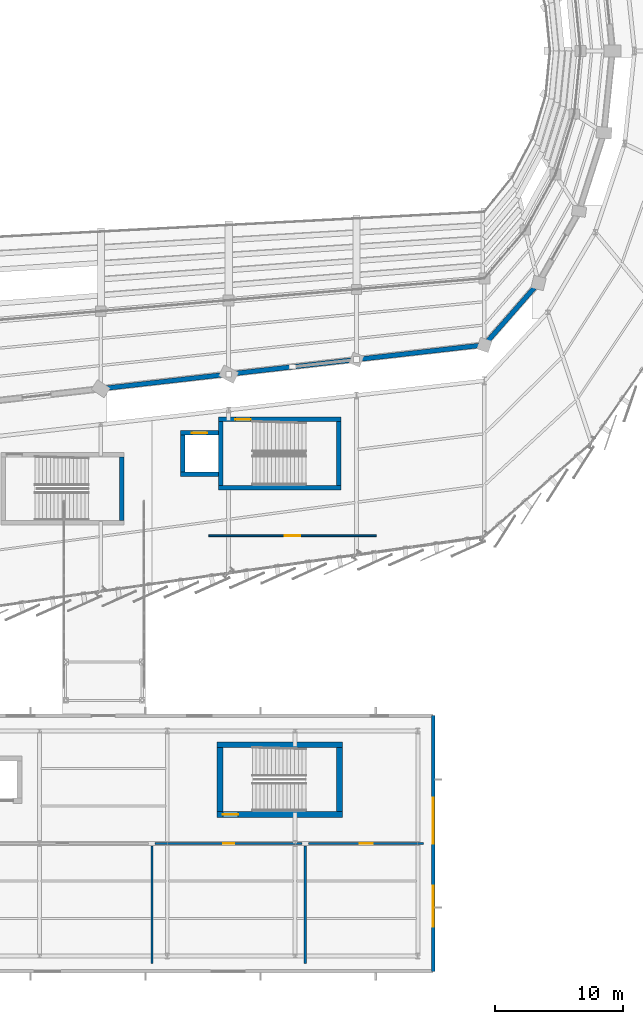
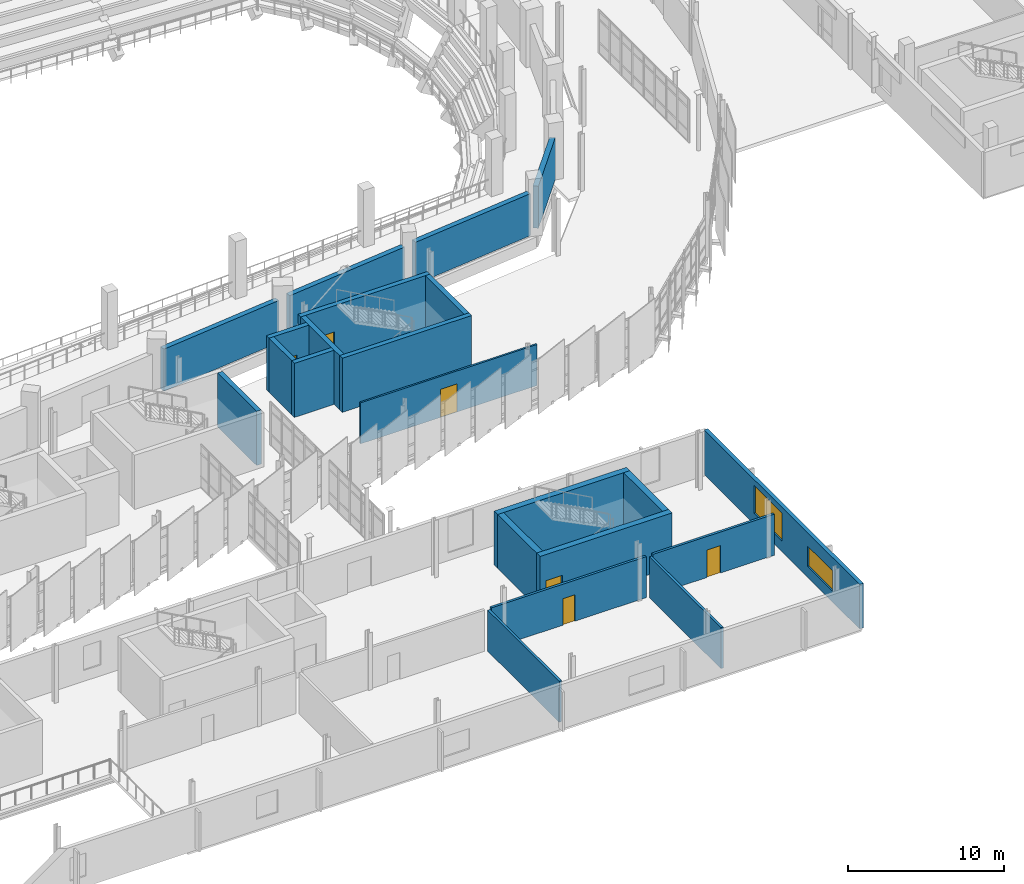
# One storey, part 113 of 134: 22 walls, 6 doors, 2 windows, 8 openings.
"""IFC4 building model written with IfcOpenShell, lengths in metres."""

import ifcopenshell
import ifcopenshell.guid

model = None  # the IFC model being written
_history = None  # IfcOwnerHistory: only IFC2X3 demands one
_inside = {}  # id of a spatial element -> (the spatial element, [elements in it])
_under = {}  # id of a project, library or spatial element -> (it, [spatial elements below it])
_declared = {}  # id of a project -> (the project, [libraries it declares])
_typed = {}  # id of a type object -> (the type object, [elements of that type])
_made_of = {}  # id of a material, layer set ... -> (it, [elements and type objects made of it])


def new_model(schema):
    """Start an empty IFC model of exactly this schema.

    Asked for "IFC4X3", IfcOpenShell would pick the latest addendum, in which some entities
    have other attributes; the version numbers below select the first issue.
    IFC2X3 requires an IfcOwnerHistory on every rooted entity: one is made here for all.
    """
    global model, _history
    if schema == "IFC4X3":
        model = ifcopenshell.file(schema_version=(4, 3, 0, 0))
    else:
        model = ifcopenshell.file(schema=schema)
    _inside.clear()
    _under.clear()
    _declared.clear()
    _typed.clear()
    _made_of.clear()
    _history = None
    if model.schema == "IFC2X3":
        org = make("IfcOrganization", Name="unknown")
        user = make(
            "IfcPersonAndOrganization",
            ThePerson=make("IfcPerson", FamilyName="unknown"),
            TheOrganization=org,
        )
        app = make(
            "IfcApplication",
            ApplicationDeveloper=org,
            Version="unknown",
            ApplicationFullName="unknown",
            ApplicationIdentifier="unknown",
        )
        _history = make(
            "IfcOwnerHistory",
            OwningUser=user,
            OwningApplication=app,
            ChangeAction="ADDED",
            CreationDate=0,
        )
    return model


def make(cls, **values):
    """One entity of the class cls with the attributes given. An attribute that is None is left unset."""
    return model.create_entity(
        cls, **{name: value for name, value in values.items() if value is not None}
    )


def rooted(cls, **values):
    """An entity with a GlobalId (a new one), such as an element, a storey or a relation."""
    return make(cls, GlobalId=ifcopenshell.guid.new(), OwnerHistory=_history, **values)


def si_unit(unit_type, name, prefix=None):
    """IfcSIUnit, for example si_unit("LENGTHUNIT", "METRE", prefix="MILLI")."""
    return make("IfcSIUnit", UnitType=unit_type, Prefix=prefix, Name=name)


def assignment(units):
    """IfcUnitAssignment: the units of a project."""
    return None if units is None else make("IfcUnitAssignment", Units=units)


def point(xyz):
    """IfcCartesianPoint."""
    return None if xyz is None else make("IfcCartesianPoint", Coordinates=xyz)


def direction(xyz):
    """IfcDirection."""
    return None if xyz is None else make("IfcDirection", DirectionRatios=xyz)


def frame(location, z_axis=None, x_axis=None):
    """IfcAxis2Placement3D, a coordinate frame: its origin and axes. An axis left out is left unset."""
    return make(
        "IfcAxis2Placement3D",
        Location=point(location),
        Axis=direction(z_axis),
        RefDirection=direction(x_axis),
    )


def frame_2d(location, x_axis=None):
    """IfcAxis2Placement2D, a coordinate frame in the plane: its origin and x axis."""
    return make(
        "IfcAxis2Placement2D", Location=point(location), RefDirection=direction(x_axis)
    )


def origin():
    """The frame at (0, 0, 0) with its axes left unset."""
    return frame((0.0, 0.0, 0.0))


def place(relative_to, where):
    """IfcLocalPlacement: puts the frame where relative to a parent placement (None: the world)."""
    return make(
        "IfcLocalPlacement", PlacementRelTo=relative_to, RelativePlacement=where
    )


def context(
    kind, dimensions, precision=None, world=None, true_north=None, identifier=None
):
    """IfcGeometricRepresentationContext, for example the 3D "Model" context."""
    return make(
        "IfcGeometricRepresentationContext",
        ContextIdentifier=identifier,
        ContextType=kind,
        CoordinateSpaceDimension=dimensions,
        Precision=precision,
        WorldCoordinateSystem=world,
        TrueNorth=true_north,
    )


def subcontext(parent, identifier, kind, view, scale=None):
    """IfcGeometricRepresentationSubContext, for example "Body" below "Model"."""
    return make(
        "IfcGeometricRepresentationSubContext",
        ContextIdentifier=identifier,
        ContextType=kind,
        ParentContext=parent,
        TargetScale=scale,
        TargetView=view,
    )


def project(units=None, contexts=None):
    """IfcProject with its units and contexts."""
    return rooted(
        "IfcProject",
        Name="project",
        RepresentationContexts=contexts,
        UnitsInContext=assignment(units),
    )


def spatial(cls, under=None, at=None, **own):
    """A site, building, storey or space (cls), placed at a placement, below another one or the project."""
    s = rooted(cls, ObjectPlacement=at, **own)
    if under is not None:
        _under.setdefault(under.id(), (under, []))[1].append(s)
    return s


def profile(cls, at=None, kind="AREA", **sizes):
    """A parametric profile (cls). Its sizes go by their IFC names, for example OverallWidth=200.0."""
    return make(cls, ProfileType=kind, Position=at, **sizes)


def rectangle(**sizes):
    """IfcRectangleProfileDef."""
    return profile("IfcRectangleProfileDef", **sizes)


def extrude(swept, where, along, depth):
    """IfcExtrudedAreaSolid: the profile swept, set in the frame where, extruded along a direction by depth."""
    return make(
        "IfcExtrudedAreaSolid",
        SweptArea=swept,
        Position=where,
        ExtrudedDirection=direction(along),
        Depth=depth,
    )


def shape(context_of_items, identifier, shape_type, items):
    """IfcShapeRepresentation: the items that make up one representation, for example the "Body"."""
    return make(
        "IfcShapeRepresentation",
        ContextOfItems=context_of_items,
        RepresentationIdentifier=identifier,
        RepresentationType=shape_type,
        Items=items,
    )


def material(Name=None, Category=None):
    """IfcMaterial."""
    return make("IfcMaterial", Name=Name, Category=Category)


def layer(
    of_material, thickness, ventilated=None, Name=None, Category=None, Priority=None
):
    """IfcMaterialLayer: one layer of a wall or slab, of a material (None: an air gap)."""
    return make(
        "IfcMaterialLayer",
        Material=of_material,
        LayerThickness=thickness,
        IsVentilated=ventilated,
        Name=Name,
        Category=Category,
        Priority=Priority,
    )


def layer_set(layers, Name=None):
    """IfcMaterialLayerSet."""
    return make("IfcMaterialLayerSet", MaterialLayers=layers, LayerSetName=Name)


def made_of(thing, what):
    """Note that an element or type object is made of a material, layer set ...; save() writes the relation."""
    if what is not None:
        _made_of.setdefault(what.id(), (what, []))[1].append(thing)
    return thing


def type_object(cls, material=None, **own):
    """A type object (cls), such as IfcWallType, which elements share."""
    return made_of(rooted(cls, **own), material)


def element(
    cls,
    number,
    at=None,
    inside=None,
    cuts=None,
    type_object=None,
    material=None,
    context=None,
    identifier="Body",
    shape_type=None,
    held_by="IfcProductDefinitionShape",
    body=None,
    shapes=None,
    **own,
):
    """One element of the class cls, such as IfcWall. Its Tag is "e" and its number.

    at: its placement. inside: the storey or other place that contains it. cuts: it is an
    opening in that element (IfcRelVoidsElement). A single representation is given by context,
    identifier, shape_type and body (its items); several are given by shapes. held_by: the class
    of the entity that holds the representations. save() writes the other relations.
    """
    e = rooted(cls, Tag="e%d" % number, ObjectPlacement=at, **own)
    if body is not None:
        shapes = [shape(context, identifier, shape_type, body)]
    if shapes is not None:
        e.Representation = make(held_by, Representations=shapes)
    if inside is not None:
        _inside.setdefault(inside.id(), (inside, []))[1].append(e)
    if cuts is not None:
        rooted(
            "IfcRelVoidsElement", RelatingBuildingElement=cuts, RelatedOpeningElement=e
        )
    if type_object is not None:
        _typed.setdefault(type_object.id(), (type_object, []))[1].append(e)
    return made_of(e, material)


def fill(opening, filler):
    """IfcRelFillsElement: the door or window that sits in an opening."""
    return rooted(
        "IfcRelFillsElement",
        RelatingOpeningElement=opening,
        RelatedBuildingElement=filler,
    )


def aggregate(whole, parts):
    """IfcRelAggregates: a whole, such as a stair, and the parts it consists of."""
    return rooted("IfcRelAggregates", RelatingObject=whole, RelatedObjects=parts)


def save(model, path):
    """Write the relations noted so far, then the file.

    IfcRelAggregates (storeys below a building ...), IfcRelContainedInSpatialStructure (elements
    in a storey), IfcRelDefinesByType, IfcRelAssociatesMaterial and IfcRelDeclares: one each for
    every whole, place, type object, material and project.
    """
    for whole, parts in _under.values():
        aggregate(whole, parts)
    for where, things in _inside.values():
        rooted(
            "IfcRelContainedInSpatialStructure",
            RelatedElements=things,
            RelatingStructure=where,
        )
    for kind, things in _typed.values():
        rooted("IfcRelDefinesByType", RelatedObjects=things, RelatingType=kind)
    for what, things in _made_of.values():
        rooted("IfcRelAssociatesMaterial", RelatedObjects=things, RelatingMaterial=what)
    for by, libraries in _declared.values():
        rooted("IfcRelDeclares", RelatingContext=by, RelatedDefinitions=libraries)
    model.write(path)


model = new_model("IFC4")

# Units and contexts
model_context = context("Model", 3, precision=1e-05, world=origin(), true_north=direction((0.0, 1.0)))
body_context = subcontext(model_context, "Body", "Model", "MODEL_VIEW")
ifc_project = project(units=[si_unit("LENGTHUNIT", "METRE"), si_unit("AREAUNIT", "SQUARE_METRE"), si_unit("VOLUMEUNIT", "CUBIC_METRE"), si_unit("PLANEANGLEUNIT", "RADIAN"), si_unit("MASSUNIT", "GRAM", prefix="KILO")], contexts=[model_context])

# Site, building, storey
site_placement = place(None, origin())
site = spatial("IfcSite", under=ifc_project, at=site_placement, CompositionType="ELEMENT")
building_placement = place(site_placement, origin())
building = spatial("IfcBuilding", under=site, at=building_placement, Name="Sohan Crest Arena", CompositionType="ELEMENT")
storey_placement = place(building_placement, frame((0.0, 0.0, 4.5)))
storey = spatial("IfcBuildingStorey", under=building, at=storey_placement, Name="L01", CompositionType="ELEMENT", Elevation=4.5)

# Wall, openings, windows
ifc_material_1 = material(Name="Clinker brick and ceramic mosaic envelope wall", Category="masonry")
ifc_layer_1 = layer(ifc_material_1, 0.280029296875, Name="Clinker brick and ceramic mosaic envelope wall")
ifc_layer_set_1 = layer_set([ifc_layer_1], Name="Clinker brick and ceramic mosaic envelope wall")
wall_type_1 = type_object("IfcWallType", Name="WAL-EW02", PredefinedType="SOLIDWALL", material=ifc_layer_set_1)
wall_1_placement = place(storey_placement, frame((164.0, 6.0, 0.0), z_axis=(0.0, 0.0, 1.0), x_axis=(0.0, 1.0, 0.0)))
wall_1 = element("IfcWall", 1, at=wall_1_placement, inside=storey, type_object=wall_type_1, Name="External wall EW-131", PredefinedType="SOLIDWALL", context=body_context, shape_type="SweptSolid", body=[
    extrude(rectangle(XDim=20.0, YDim=0.280029296875, at=frame_2d((10.0, 0.0))), origin(), (0.0, 0.0, 1.0), 3.5),
])
opening_1_placement = place(wall_1_placement, frame((3.5, 0.0, 0.85009765625)))
opening_1 = element("IfcOpeningElement", 2, at=opening_1_placement, cuts=wall_1, Name="Opening W-043", PredefinedType="OPENING", context=body_context, shape_type="SweptSolid", body=[
    extrude(rectangle(XDim=3.199951171875, YDim=1.60009765625, at=frame_2d((1.60009765625, 0.800048828125))), frame((0.0, 0.14990234375, 0.0), z_axis=(0.0, -1.0, 0.0), x_axis=(1.0, 0.0, 0.0)), (0.0, 0.0, 1.0), 0.300048828125),
])
opening_2_placement = place(wall_1_placement, frame((10.0, 0.0, 0.85009765625)))
opening_2 = element("IfcOpeningElement", 3, at=opening_2_placement, cuts=wall_1, Name="Opening W-044", PredefinedType="OPENING", context=body_context, shape_type="SweptSolid", body=[
    extrude(rectangle(XDim=3.60009765625, YDim=2.199951171875, at=frame_2d((1.800048828125, 1.10009765625))), frame((0.0, 0.14990234375, 0.0), z_axis=(0.0, -1.0, 0.0), x_axis=(1.0, 0.0, 0.0)), (0.0, 0.0, 1.0), 0.300048828125),
])
ifc_material_2 = material(Name="Low-E double-glazed insulated glass", Category="glass")
window_type_1 = type_object("IfcWindowType", Name="WIN-W11", PartitioningType="SINGLE_PANEL", PredefinedType="WINDOW", material=ifc_material_2)
window_1_placement = place(opening_1_placement, origin())
window_1 = element("IfcWindow", 4, at=window_1_placement, inside=storey, type_object=window_type_1, Name="Catalan arched wing window W-043", OverallHeight=1.60009765625, OverallWidth=3.199951171875, PartitioningType="SINGLE_PANEL", PredefinedType="WINDOW", context=body_context, shape_type="SweptSolid", body=[
    extrude(rectangle(XDim=3.199951171875, YDim=1.60009765625, at=frame_2d((1.60009765625, 0.800048828125))), frame((0.0, 0.030029296875, 0.0), z_axis=(0.0, -1.0, 0.0), x_axis=(1.0, 0.0, 0.0)), (0.0, 0.0, 1.0), 0.06005859375),
])
fill(opening_1, window_1)
window_type_2 = type_object("IfcWindowType", Name="WIN-W12", PartitioningType="SINGLE_PANEL", PredefinedType="WINDOW", material=ifc_material_2)
window_2_placement = place(opening_2_placement, origin())
window_2 = element("IfcWindow", 5, at=window_2_placement, inside=storey, type_object=window_type_2, Name="Catalan arched wing window W-044", OverallHeight=2.199951171875, OverallWidth=3.60009765625, PartitioningType="SINGLE_PANEL", PredefinedType="WINDOW", context=body_context, shape_type="SweptSolid", body=[
    extrude(rectangle(XDim=3.60009765625, YDim=2.199951171875, at=frame_2d((1.800048828125, 1.10009765625))), frame((0.0, 0.030029296875, 0.0), z_axis=(0.0, -1.0, 0.0), x_axis=(1.0, 0.0, 0.0)), (0.0, 0.0, 1.0), 0.06005859375),
])
fill(opening_2, window_2)

# Walls
ifc_material_3 = material(Name="Acoustic insulated bowl drum enclosure wall", Category="masonry")
ifc_layer_2 = layer(ifc_material_3, 0.3701171875, Name="Acoustic insulated bowl drum enclosure wall")
ifc_layer_set_2 = layer_set([ifc_layer_2], Name="Acoustic insulated bowl drum enclosure wall")
wall_type_2 = type_object("IfcWallType", Name="WAL-EW05", PredefinedType="SOLIDWALL", material=ifc_layer_set_2)
for number, where, z_axis, x_axis, name in (
    (6, (138.43701171875, 51.62109375, 0.0), (0.0, 0.0, 1.0), (0.993532672656, 0.113546591161, 0.0), "Acoustic bowl drum wall BW-L01-17"),
    (7, (148.43701171875, 52.763916015625, 0.0), (0.0, 0.0, 1.0), (0.993532672656, 0.113546591161, 0.0), "Acoustic bowl drum wall BW-L01-18"),
    (8, (158.43701171875, 53.906982421875, 0.0), (0.0, 0.0, 1.0), (0.993532672656, 0.113546591161, 0.0), "Acoustic bowl drum wall BW-L01-19"),
):
    element("IfcWall", number, at=place(storey_placement, frame(where, z_axis=z_axis, x_axis=x_axis)), inside=storey, type_object=wall_type_2, Name=name, PredefinedType="SOLIDWALL", context=body_context, shape_type="SweptSolid", body=[
        extrude(rectangle(XDim=9.185302734375, YDim=0.3701171875, at=frame_2d((4.5927734375, 0.0))), origin(), (0.0, 0.0, 1.0), 3.300048828125),
    ])
wall_2_placement = place(storey_placement, frame((168.2900390625, 55.3310546875, 0.0), z_axis=(0.0, 0.0, 1.0), x_axis=(0.658706624818, 0.752399881991, 0.0)))
element("IfcWall", 9, at=wall_2_placement, inside=storey, type_object=wall_type_2, Name="Acoustic bowl drum wall BW-L01-20", PredefinedType="SOLIDWALL", context=body_context, shape_type="SweptSolid", body=[
    extrude(rectangle(XDim=5.560546875, YDim=0.3701171875, at=frame_2d((2.7802734375, 0.0))), origin(), (0.0, 0.0, 1.0), 3.300048828125),
])

# Wall, opening, door
ifc_material_4 = material(Name="Suite acoustic stud partition", Category="masonry")
ifc_layer_3 = layer(ifc_material_4, 0.135009765625, Name="Suite acoustic stud partition")
ifc_layer_set_3 = layer_set([ifc_layer_3], Name="Suite acoustic stud partition")
wall_type_3 = type_object("IfcWallType", Name="WAL-PW02", PredefinedType="PARTITIONING", material=ifc_layer_set_3)
wall_3_placement = place(storey_placement, frame((146.449951171875, 40.074951171875, 0.0), z_axis=(0.0, 0.0, 1.0), x_axis=(1.0, 0.0, 0.0)))
wall_3 = element("IfcWall", 10, at=wall_3_placement, inside=storey, type_object=wall_type_3, Name="Interior partition wall PW-0880", PredefinedType="PARTITIONING", context=body_context, shape_type="SweptSolid", body=[
    extrude(rectangle(XDim=13.10009765625, YDim=0.135009765625, at=frame_2d((6.550048828125, 0.0))), origin(), (0.0, 0.0, 1.0), 3.219970703125),
])
opening_3_placement = place(wall_3_placement, frame((5.929931640625, 0.0, 0.0)))
opening_3 = element("IfcOpeningElement", 11, at=opening_3_placement, cuts=wall_3, Name="Opening RM-0254", PredefinedType="OPENING", context=body_context, shape_type="SweptSolid", body=[
    extrude(rectangle(XDim=1.239990234375, YDim=2.199951171875, at=frame_2d((0.6201171875, 1.10009765625))), frame((0.0, 0.077392578125, 0.0), z_axis=(0.0, -1.0, 0.0), x_axis=(1.0, 0.0, 0.0)), (0.0, 0.0, 1.0), 0.155029296875),
])
ifc_material_5 = material(Name="Solid oak acoustic room door", Category="wood")
door_type_1 = type_object("IfcDoorType", Name="DR-ID12", OperationType="NOTDEFINED", PredefinedType="DOOR", material=ifc_material_5)
door_1_placement = place(opening_3_placement, origin())
door_1 = element("IfcDoor", 12, at=door_1_placement, inside=storey, type_object=door_type_1, Name="Spectator Concessions Kitchen door RM-0254", OperationType="SINGLE_SWING_RIGHT", OverallHeight=2.199951171875, OverallWidth=1.239990234375, PredefinedType="DOOR", context=body_context, shape_type="SweptSolid", body=[
    extrude(rectangle(XDim=1.239990234375, YDim=2.199951171875, at=frame_2d((0.6201171875, 1.10009765625))), frame((0.0, 0.02490234375, 0.0), z_axis=(0.0, -1.0, 0.0), x_axis=(1.0, 0.0, 0.0)), (0.0, 0.0, 1.0), 0.050048828125),
])
fill(opening_3, door_1)

# Wall
ifc_material_6 = material(Name="Back-of-house masonry room partition", Category="masonry")
ifc_layer_4 = layer(ifc_material_6, 0.179931640625, Name="Back-of-house masonry room partition")
ifc_layer_set_4 = layer_set([ifc_layer_4], Name="Back-of-house masonry room partition")
wall_type_4 = type_object("IfcWallType", Name="WAL-PW05", PredefinedType="PARTITIONING", material=ifc_layer_set_4)
wall_4_placement = place(storey_placement, frame((142.0, 6.60009765625, 0.0), z_axis=(0.0, 0.0, 1.0), x_axis=(0.0, 1.0, 0.0)))
element("IfcWall", 13, at=wall_4_placement, inside=storey, type_object=wall_type_4, Name="Interior partition wall PW-0917", PredefinedType="PARTITIONING", context=body_context, shape_type="SweptSolid", body=[
    extrude(rectangle(XDim=9.199951171875, YDim=0.179931640625, at=frame_2d((4.60009765625, 0.0))), origin(), (0.0, 0.0, 1.0), 3.219970703125),
])

# Wall, opening, door
wall_5_placement = place(storey_placement, frame((142.25, 16.0, 0.0), z_axis=(0.0, 0.0, 1.0), x_axis=(1.0, 0.0, 0.0)))
wall_5 = element("IfcWall", 14, at=wall_5_placement, inside=storey, type_object=wall_type_4, Name="Interior partition wall PW-0918", PredefinedType="PARTITIONING", context=body_context, shape_type="SweptSolid", body=[
    extrude(rectangle(XDim=11.5, YDim=0.179931640625, at=frame_2d((5.75, 0.0))), origin(), (0.0, 0.0, 1.0), 3.219970703125),
])
opening_4_placement = place(wall_5_placement, frame((5.31005859375, 0.0, 0.0)))
opening_4 = element("IfcOpeningElement", 15, at=opening_4_placement, cuts=wall_5, Name="Opening V5D-0276", PredefinedType="OPENING", context=body_context, shape_type="SweptSolid", body=[
    extrude(rectangle(XDim=0.8798828125, YDim=2.080078125, at=frame_2d((0.43994140625, 1.0400390625))), frame((0.0, 0.099853515625, 0.0), z_axis=(0.0, -1.0, 0.0), x_axis=(1.0, 0.0, 0.0)), (0.0, 0.0, 1.0), 0.199951171875),
])
door_type_2 = type_object("IfcDoorType", Name="DR-ID07", OperationType="NOTDEFINED", PredefinedType="DOOR", material=ifc_material_5)
door_2_placement = place(opening_4_placement, origin())
door_2 = element("IfcDoor", 16, at=door_2_placement, inside=storey, type_object=door_type_2, Name="Catering Kitchen and Commissary door V5D-0276", OperationType="SINGLE_SWING_LEFT", OverallHeight=2.080078125, OverallWidth=0.8798828125, PredefinedType="DOOR", context=body_context, shape_type="SweptSolid", body=[
    extrude(rectangle(XDim=0.8798828125, YDim=2.080078125, at=frame_2d((0.43994140625, 1.0400390625))), frame((0.0, 0.02490234375, 0.0), z_axis=(0.0, -1.0, 0.0), x_axis=(1.0, 0.0, 0.0)), (0.0, 0.0, 1.0), 0.050048828125),
])
fill(opening_4, door_2)

# Wall
wall_6_placement = place(storey_placement, frame((154.0, 6.60009765625, 0.0), z_axis=(0.0, 0.0, 1.0), x_axis=(0.0, 1.0, 0.0)))
element("IfcWall", 17, at=wall_6_placement, inside=storey, type_object=wall_type_4, Name="Interior partition wall PW-0919", PredefinedType="PARTITIONING", context=body_context, shape_type="SweptSolid", body=[
    extrude(rectangle(XDim=9.199951171875, YDim=0.179931640625, at=frame_2d((4.60009765625, 0.0))), origin(), (0.0, 0.0, 1.0), 3.219970703125),
])

# Wall, opening, door
wall_7_placement = place(storey_placement, frame((154.25, 16.0, 0.0), z_axis=(0.0, 0.0, 1.0), x_axis=(1.0, 0.0, 0.0)))
wall_7 = element("IfcWall", 18, at=wall_7_placement, inside=storey, type_object=wall_type_4, Name="Interior partition wall PW-0920", PredefinedType="PARTITIONING", context=body_context, shape_type="SweptSolid", body=[
    extrude(rectangle(XDim=9.0, YDim=0.179931640625, at=frame_2d((4.5, 0.0))), origin(), (0.0, 0.0, 1.0), 3.219970703125),
])
opening_5_placement = place(wall_7_placement, frame((3.989990234375, 0.0, 0.0)))
opening_5 = element("IfcOpeningElement", 19, at=opening_5_placement, cuts=wall_7, Name="Opening V5D-0277", PredefinedType="OPENING", context=body_context, shape_type="SweptSolid", body=[
    extrude(rectangle(XDim=1.02001953125, YDim=2.14990234375, at=frame_2d((0.510009765625, 1.074951171875))), frame((0.0, 0.099853515625, 0.0), z_axis=(0.0, -1.0, 0.0), x_axis=(1.0, 0.0, 0.0)), (0.0, 0.0, 1.0), 0.199951171875),
])
ifc_material_7 = material(Name="Accessible toilet and dressing room door", Category="wood")
door_type_3 = type_object("IfcDoorType", Name="DR-ID03", OperationType="NOTDEFINED", PredefinedType="DOOR", material=ifc_material_7)
door_3_placement = place(opening_5_placement, origin())
door_3 = element("IfcDoor", 20, at=door_3_placement, inside=storey, type_object=door_type_3, Name="BOH Accessible WC L01 door V5D-0277", OperationType="SINGLE_SWING_RIGHT", OverallHeight=2.14990234375, OverallWidth=1.02001953125, PredefinedType="DOOR", context=body_context, shape_type="SweptSolid", body=[
    extrude(rectangle(XDim=1.02001953125, YDim=2.14990234375, at=frame_2d((0.510009765625, 1.074951171875))), frame((0.0, 0.02490234375, 0.0), z_axis=(0.0, -1.0, 0.0), x_axis=(1.0, 0.0, 0.0)), (0.0, 0.0, 1.0), 0.050048828125),
])
fill(opening_5, door_3)

# Walls
ifc_material_8 = material(Name="Concrete C40/50", Category="concrete")
ifc_layer_5 = layer(ifc_material_8, 0.35009765625, Name="Concrete C40/50")
ifc_layer_set_5 = layer_set([ifc_layer_5], Name="Concrete C40/50")
wall_type_5 = type_object("IfcWallType", Name="WAL-SW02", PredefinedType="SHEAR", material=ifc_layer_set_5)
for number, where, z_axis, x_axis, name in (
    (21, (147.375, 44.0, 0.0), (0.0, 0.0, 1.0), (0.0, 1.0, 0.0), "Core shear wall SW-0420"),
    (22, (156.625, 44.0, 0.0), (0.0, 0.0, 1.0), (0.0, 1.0, 0.0), "Core shear wall SW-0421"),
):
    element("IfcWall", number, at=place(storey_placement, frame(where, z_axis=z_axis, x_axis=x_axis)), inside=storey, type_object=wall_type_5, Name=name, PredefinedType="SHEAR", context=body_context, shape_type="SweptSolid", body=[
        extrude(rectangle(XDim=5.0, YDim=0.35009765625, at=frame_2d((2.5, 0.0))), origin(), (0.0, 0.0, 1.0), 4.25),
    ])
wall_8_placement = place(storey_placement, frame((147.199951171875, 43.824951171875, 0.0), z_axis=(0.0, 0.0, 1.0), x_axis=(1.0, 0.0, 0.0)))
element("IfcWall", 23, at=wall_8_placement, inside=storey, type_object=wall_type_5, Name="Core shear wall SW-0422", PredefinedType="SHEAR", context=body_context, shape_type="SweptSolid", body=[
    extrude(rectangle(XDim=9.60009765625, YDim=0.35009765625, at=frame_2d((4.800048828125, 0.0))), origin(), (0.0, 0.0, 1.0), 4.25),
])

# Wall, opening, door
wall_9_placement = place(storey_placement, frame((147.199951171875, 49.175048828125, 0.0), z_axis=(0.0, 0.0, 1.0), x_axis=(1.0, 0.0, 0.0)))
wall_9 = element("IfcWall", 24, at=wall_9_placement, inside=storey, type_object=wall_type_5, Name="Core shear wall SW-0423", PredefinedType="SHEAR", context=body_context, shape_type="SweptSolid", body=[
    extrude(rectangle(XDim=9.60009765625, YDim=0.35009765625, at=frame_2d((4.800048828125, 0.0))), origin(), (0.0, 0.0, 1.0), 4.25),
])
opening_6_placement = place(wall_9_placement, frame((1.320068359375, 0.0, 0.0)))
opening_6 = element("IfcOpeningElement", 25, at=opening_6_placement, cuts=wall_9, Name="Opening SD-0117", PredefinedType="OPENING", context=body_context, shape_type="SweptSolid", body=[
    extrude(rectangle(XDim=1.199951171875, YDim=2.199951171875, at=frame_2d((0.60009765625, 1.10009765625))), frame((0.0, 0.18505859375, 0.0), z_axis=(0.0, -1.0, 0.0), x_axis=(1.0, 0.0, 0.0)), (0.0, 0.0, 1.0), 0.3701171875),
])
ifc_material_9 = material(Name="Fire-rated steel stair and lobby door", Category="steel")
door_type_4 = type_object("IfcDoorType", Name="DR-FD04", OperationType="NOTDEFINED", PredefinedType="DOOR", material=ifc_material_9)
door_4_placement = place(opening_6_placement, origin())
door_4 = element("IfcDoor", 26, at=door_4_placement, inside=storey, type_object=door_type_4, Name="Protected stair door SD-0117", OperationType="SINGLE_SWING_RIGHT", OverallHeight=2.199951171875, OverallWidth=1.199951171875, PredefinedType="DOOR", context=body_context, shape_type="SweptSolid", body=[
    extrude(rectangle(XDim=1.199951171875, YDim=2.199951171875, at=frame_2d((0.60009765625, 1.10009765625))), frame((0.0, 0.02490234375, 0.0), z_axis=(0.0, -1.0, 0.0), x_axis=(1.0, 0.0, 0.0)), (0.0, 0.0, 1.0), 0.050048828125),
])
fill(opening_6, door_4)

# Walls
wall_10_placement = place(storey_placement, frame((144.425048828125, 45.050048828125, 0.0), z_axis=(0.0, 0.0, 1.0), x_axis=(0.0, 1.0, 0.0)))
element("IfcWall", 27, at=wall_10_placement, inside=storey, type_object=wall_type_5, Name="Core shear wall SW-0424", PredefinedType="SHEAR", context=body_context, shape_type="SweptSolid", body=[
    extrude(rectangle(XDim=2.89990234375, YDim=0.35009765625, at=frame_2d((1.449951171875, 0.0))), origin(), (0.0, 0.0, 1.0), 4.25),
])
wall_11_placement = place(storey_placement, frame((144.25, 44.875, 0.0), z_axis=(0.0, 0.0, 1.0), x_axis=(1.0, 0.0, 0.0)))
element("IfcWall", 28, at=wall_11_placement, inside=storey, type_object=wall_type_5, Name="Core shear wall SW-0425", PredefinedType="SHEAR", context=body_context, shape_type="SweptSolid", body=[
    extrude(rectangle(XDim=2.949951171875, YDim=0.35009765625, at=frame_2d((1.47509765625, 0.0))), origin(), (0.0, 0.0, 1.0), 4.25),
])

# Wall, opening, door
wall_12_placement = place(storey_placement, frame((144.25, 48.125, 0.0), z_axis=(0.0, 0.0, 1.0), x_axis=(1.0, 0.0, 0.0)))
wall_12 = element("IfcWall", 29, at=wall_12_placement, inside=storey, type_object=wall_type_5, Name="Core shear wall SW-0426", PredefinedType="SHEAR", context=body_context, shape_type="SweptSolid", body=[
    extrude(rectangle(XDim=2.949951171875, YDim=0.35009765625, at=frame_2d((1.47509765625, 0.0))), origin(), (0.0, 0.0, 1.0), 4.25),
])
opening_7_placement = place(wall_12_placement, frame((0.875, 0.0, 0.0)))
opening_7 = element("IfcOpeningElement", 30, at=opening_7_placement, cuts=wall_12, Name="Opening LD-LP07-L01", PredefinedType="OPENING", context=body_context, shape_type="SweptSolid", body=[
    extrude(rectangle(XDim=1.199951171875, YDim=2.199951171875, at=frame_2d((0.60009765625, 1.10009765625))), frame((0.0, 0.18505859375, 0.0), z_axis=(0.0, -1.0, 0.0), x_axis=(1.0, 0.0, 0.0)), (0.0, 0.0, 1.0), 0.3701171875),
])
ifc_material_10 = material(Name="Stainless steel passenger lift landing door", Category="steel")
door_type_5 = type_object("IfcDoorType", Name="DR-LD02", OperationType="SLIDING_TO_LEFT", PredefinedType="DOOR", material=ifc_material_10)
door_5_placement = place(opening_7_placement, origin())
door_5 = element("IfcDoor", 31, at=door_5_placement, inside=storey, type_object=door_type_5, Name="Sliding lift landing door LD-LP07-L01", OperationType="SLIDING_TO_LEFT", OverallHeight=2.199951171875, OverallWidth=1.199951171875, PredefinedType="DOOR", context=body_context, shape_type="SweptSolid", body=[
    extrude(rectangle(XDim=1.199951171875, YDim=2.199951171875, at=frame_2d((0.60009765625, 1.10009765625))), frame((0.0, 0.02490234375, 0.0), z_axis=(0.0, -1.0, 0.0), x_axis=(1.0, 0.0, 0.0)), (0.0, 0.0, 1.0), 0.050048828125),
])
fill(opening_7, door_5)

# Walls
wall_13_placement = place(storey_placement, frame((139.625, 41.25, 0.0), z_axis=(0.0, 0.0, 1.0), x_axis=(0.0, 1.0, 0.0)))
element("IfcWall", 32, at=wall_13_placement, inside=storey, type_object=wall_type_5, Name="Core shear wall SW-0790", PredefinedType="SHEAR", context=body_context, shape_type="SweptSolid", body=[
    extrude(rectangle(XDim=5.0, YDim=0.35009765625, at=frame_2d((2.5, 0.0))), origin(), (0.0, 0.0, 1.0), 4.25),
])
ifc_layer_6 = layer(ifc_material_8, 0.449951171875, Name="Concrete C40/50")
ifc_layer_set_6 = layer_set([ifc_layer_6], Name="Concrete C40/50")
wall_type_6 = type_object("IfcWallType", Name="WAL-SW04", PredefinedType="SHEAR", material=ifc_layer_set_6)
for number, where, z_axis, x_axis, name in (
    (33, (147.324951171875, 18.5, 0.0), (0.0, 0.0, 1.0), (0.0, 1.0, 0.0), "Core shear wall SW-0495"),
    (34, (156.675048828125, 18.5, 0.0), (0.0, 0.0, 1.0), (0.0, 1.0, 0.0), "Core shear wall SW-0496"),
):
    element("IfcWall", number, at=place(storey_placement, frame(where, z_axis=z_axis, x_axis=x_axis)), inside=storey, type_object=wall_type_6, Name=name, PredefinedType="SHEAR", context=body_context, shape_type="SweptSolid", body=[
        extrude(rectangle(XDim=5.0, YDim=0.449951171875, at=frame_2d((2.5, 0.0))), origin(), (0.0, 0.0, 1.0), 4.25),
    ])

# Wall, opening, door
wall_14_placement = place(storey_placement, frame((147.10009765625, 18.27490234375, 0.0), z_axis=(0.0, 0.0, 1.0), x_axis=(1.0, 0.0, 0.0)))
wall_14 = element("IfcWall", 35, at=wall_14_placement, inside=storey, type_object=wall_type_6, Name="Core shear wall SW-0497", PredefinedType="SHEAR", context=body_context, shape_type="SweptSolid", body=[
    extrude(rectangle(XDim=9.7998046875, YDim=0.449951171875, at=frame_2d((4.89990234375, 0.0))), origin(), (0.0, 0.0, 1.0), 4.25),
])
opening_8_placement = place(wall_14_placement, frame((0.449951171875, 0.0, 0.0)))
opening_8 = element("IfcOpeningElement", 36, at=opening_8_placement, cuts=wall_14, Name="Opening SD-0137", PredefinedType="OPENING", context=body_context, shape_type="SweptSolid", body=[
    extrude(rectangle(XDim=1.199951171875, YDim=2.199951171875, at=frame_2d((0.60009765625, 1.10009765625))), frame((0.0, 0.23486328125, 0.0), z_axis=(0.0, -1.0, 0.0), x_axis=(1.0, 0.0, 0.0)), (0.0, 0.0, 1.0), 0.469970703125),
])
door_6_placement = place(opening_8_placement, frame((1.199951171875, 0.0, 0.0), z_axis=(0.0, 0.0, 1.0), x_axis=(-1.0, 0.0, 0.0)))
door_6 = element("IfcDoor", 37, at=door_6_placement, inside=storey, type_object=door_type_4, Name="Protected stair door SD-0137", OperationType="SINGLE_SWING_LEFT", OverallHeight=2.199951171875, OverallWidth=1.199951171875, PredefinedType="DOOR", context=body_context, shape_type="SweptSolid", body=[
    extrude(rectangle(XDim=1.199951171875, YDim=2.199951171875, at=frame_2d((0.60009765625, 1.10009765625))), frame((0.0, 0.02490234375, 0.0), z_axis=(0.0, -1.0, 0.0), x_axis=(1.0, 0.0, 0.0)), (0.0, 0.0, 1.0), 0.050048828125),
])
fill(opening_8, door_6)

# Wall
wall_15_placement = place(storey_placement, frame((147.10009765625, 23.72509765625, 0.0), z_axis=(0.0, 0.0, 1.0), x_axis=(1.0, 0.0, 0.0)))
element("IfcWall", 38, at=wall_15_placement, inside=storey, type_object=wall_type_6, Name="Core shear wall SW-0498", PredefinedType="SHEAR", context=body_context, shape_type="SweptSolid", body=[
    extrude(rectangle(XDim=9.7998046875, YDim=0.449951171875, at=frame_2d((4.89990234375, 0.0))), origin(), (0.0, 0.0, 1.0), 4.25),
])

save(model, "model.ifc")
